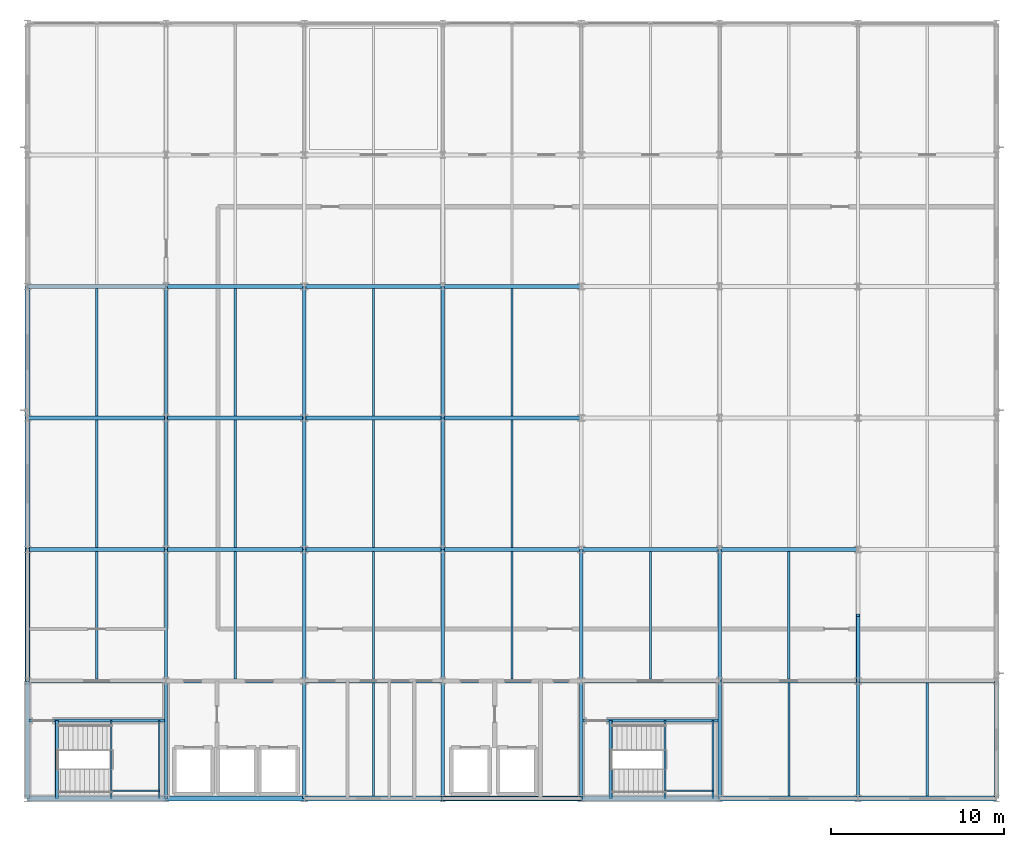
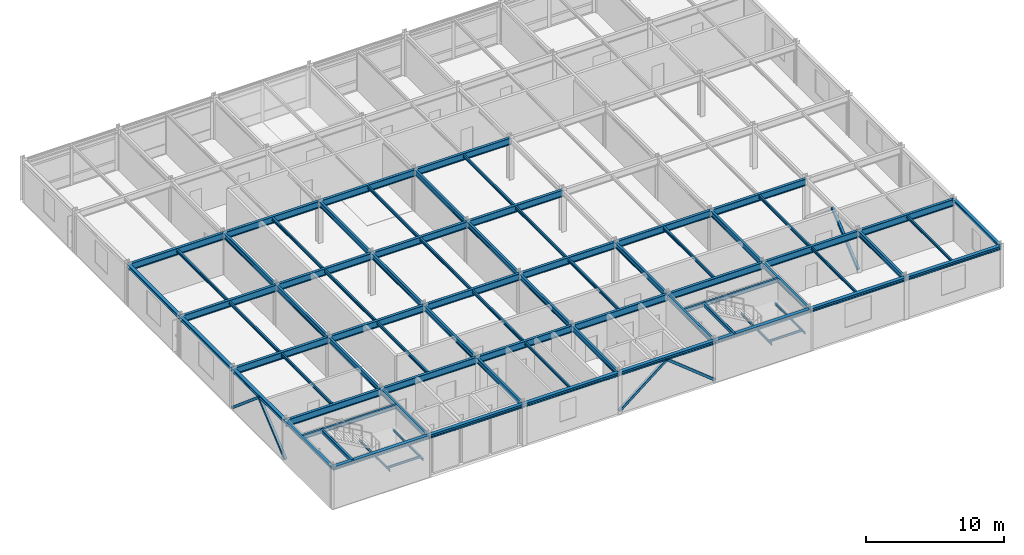
# One storey, part 4 of 18: 77 beams, 5 members.
"""IFC4 building model written with IfcOpenShell, lengths in metres."""

from ifc_helpers import new_model, si_unit, direction, frame, origin, origin_2d, place, context, subcontext, project, spatial, hollow_rectangle, i_section, extrude, material, material_profile, profile_set, type_object, element, save


model = new_model("IFC4")

# Units and contexts
model_context = context("Model", 3, precision=1e-05, world=origin(), true_north=direction((0.0, 1.0)))
body_context = subcontext(model_context, "Body", "Model", "MODEL_VIEW")
ifc_project = project(units=[si_unit("LENGTHUNIT", "METRE"), si_unit("AREAUNIT", "SQUARE_METRE"), si_unit("VOLUMEUNIT", "CUBIC_METRE"), si_unit("PLANEANGLEUNIT", "RADIAN"), si_unit("MASSUNIT", "GRAM", prefix="KILO")], contexts=[model_context])

# Site, building, storey
site_placement = place(None, origin())
site = spatial("IfcSite", under=ifc_project, at=site_placement, CompositionType="ELEMENT")
building_placement = place(site_placement, origin())
building = spatial("IfcBuilding", under=site, at=building_placement, Name="Shalkamar Park Central Library", CompositionType="ELEMENT")
storey_placement = place(building_placement, frame((0.0, 0.0, 24.300048828125)))
storey = spatial("IfcBuildingStorey", under=building, at=storey_placement, Name="L06", CompositionType="ELEMENT", Elevation=24.300048828125)

# Beams
ifc_material = material(Name="Steel S355", Category="steel")
ifc_material_profile_1 = material_profile(ifc_material, i_section(OverallWidth=0.10009765625, OverallDepth=0.199951171875, WebThickness=0.005615234375, FlangeThickness=0.008544921875, FilletRadius=0.011962890625, at=origin_2d()), Name="IPE 200")
ifc_profile_set_1 = profile_set([ifc_material_profile_1], Name="Steel S355")
beam_type_1 = type_object("IfcBeamType", Name="Composite Floor Joist IPE200", PredefinedType="JOIST", material=ifc_profile_set_1)
for number, where, z_axis, x_axis, name in (
    (1, (169.840087890625, 248.39990234375, 1.570068359375), (0.0, 1.0, 0.0), (-1.0, 0.0, 0.0), "Stair Half-Landing Beam ST-T1-L06-1"),
    (2, (172.6201171875, 248.39990234375, 1.570068359375), (0.0, 1.0, 0.0), (-1.0, 0.0, 0.0), "Stair Half-Landing Beam ST-T1-L06-2"),
):
    element("IfcBeam", number, at=place(storey_placement, frame(where, z_axis=z_axis, x_axis=x_axis)), inside=storey, type_object=beam_type_1, Name=name, PredefinedType="JOIST", context=body_context, shape_type="SweptSolid", body=[
        extrude(i_section(OverallWidth=0.10009765625, OverallDepth=0.199951171875, WebThickness=0.005615234375, FlangeThickness=0.008544921875, FilletRadius=0.011962890625, at=origin_2d()), origin(), (0.0, 0.0, 1.0), 4.5),
    ])
beam_1_placement = place(storey_placement, frame((169.840087890625, 248.85009765625, 1.570068359375), z_axis=(1.0, 0.0, 0.0), x_axis=(0.0, 1.0, 0.0)))
element("IfcBeam", 3, at=beam_1_placement, inside=storey, type_object=beam_type_1, Name="Stair Half-Landing Cross Tie ST-T1-L06-3", PredefinedType="JOIST", context=body_context, shape_type="SweptSolid", body=[
    extrude(i_section(OverallWidth=0.10009765625, OverallDepth=0.199951171875, WebThickness=0.005615234375, FlangeThickness=0.008544921875, FilletRadius=0.011962890625, at=origin_2d()), origin(), (0.0, 0.0, 1.0), 2.780029296875),
])
for number, where, z_axis, x_axis, name in (
    (4, (201.840087890625, 248.39990234375, 1.570068359375), (0.0, 1.0, 0.0), (-1.0, 0.0, 0.0), "Stair Half-Landing Beam ST-T2-L06-1"),
    (5, (204.6201171875, 248.39990234375, 1.570068359375), (0.0, 1.0, 0.0), (-1.0, 0.0, 0.0), "Stair Half-Landing Beam ST-T2-L06-2"),
):
    element("IfcBeam", number, at=place(storey_placement, frame(where, z_axis=z_axis, x_axis=x_axis)), inside=storey, type_object=beam_type_1, Name=name, PredefinedType="JOIST", context=body_context, shape_type="SweptSolid", body=[
        extrude(i_section(OverallWidth=0.10009765625, OverallDepth=0.199951171875, WebThickness=0.005615234375, FlangeThickness=0.008544921875, FilletRadius=0.011962890625, at=origin_2d()), origin(), (0.0, 0.0, 1.0), 4.5),
    ])
beam_2_placement = place(storey_placement, frame((201.840087890625, 248.85009765625, 1.570068359375), z_axis=(1.0, 0.0, 0.0), x_axis=(0.0, 1.0, 0.0)))
element("IfcBeam", 6, at=beam_2_placement, inside=storey, type_object=beam_type_1, Name="Stair Half-Landing Cross Tie ST-T2-L06-3", PredefinedType="JOIST", context=body_context, shape_type="SweptSolid", body=[
    extrude(i_section(OverallWidth=0.10009765625, OverallDepth=0.199951171875, WebThickness=0.005615234375, FlangeThickness=0.008544921875, FilletRadius=0.011962890625, at=origin_2d()), origin(), (0.0, 0.0, 1.0), 2.780029296875),
])
ifc_material_profile_2 = material_profile(ifc_material, i_section(OverallWidth=0.1201171875, OverallDepth=0.239990234375, WebThickness=0.006103515625, FlangeThickness=0.009765625, FilletRadius=0.014892578125, at=origin_2d()), Name="IPE 240")
ifc_profile_set_2 = profile_set([ifc_material_profile_2], Name="Steel S355")
beam_type_2 = type_object("IfcBeamType", Name="Composite Floor Joist IPE240", PredefinedType="JOIST", material=ifc_profile_set_2)
for number, where, z_axis, x_axis, name in (
    (7, (185.0, 248.548095703125, 3.5400390625), (0.0, 1.0, 0.0), (-1.0, 0.0, 0.0), "Composite Joist 09/B-1 (L06)"),
    (8, (209.0, 248.548095703125, 3.5400390625), (0.0, 1.0, 0.0), (-1.0, 0.0, 0.0), "Composite Joist 12/B-1 (L06)"),
    (9, (217.0, 248.548095703125, 3.5400390625), (0.0, 1.0, 0.0), (-1.0, 0.0, 0.0), "Composite Joist 13/B-1 (L06)"),
):
    element("IfcBeam", number, at=place(storey_placement, frame(where, z_axis=z_axis, x_axis=x_axis)), inside=storey, type_object=beam_type_2, Name=name, PredefinedType="JOIST", context=body_context, shape_type="SweptSolid", body=[
        extrude(i_section(OverallWidth=0.1201171875, OverallDepth=0.239990234375, WebThickness=0.006103515625, FlangeThickness=0.009765625, FilletRadius=0.014892578125, at=origin_2d()), origin(), (0.0, 0.0, 1.0), 6.5439453125),
    ])
ifc_material_profile_3 = material_profile(ifc_material, i_section(OverallWidth=0.135009765625, OverallDepth=0.27001953125, WebThickness=0.006591796875, FlangeThickness=0.01025390625, FilletRadius=0.014892578125, at=origin_2d()), Name="IPE 270")
ifc_profile_set_3 = profile_set([ifc_material_profile_3], Name="Steel S355")
beam_type_3 = type_object("IfcBeamType", Name="Composite Floor Joist IPE270", PredefinedType="JOIST", material=ifc_profile_set_3)
beam_3_placement = place(storey_placement, frame((169.0, 255.30810546875, 3.52490234375), z_axis=(0.0, 1.0, 0.0), x_axis=(-1.0, 0.0, 0.0)))
element("IfcBeam", 10, at=beam_3_placement, inside=storey, type_object=beam_type_3, Name="Composite Joist 07/C-1 (L06)", PredefinedType="JOIST", context=body_context, shape_type="SweptSolid", body=[
    extrude(i_section(OverallWidth=0.135009765625, OverallDepth=0.27001953125, WebThickness=0.006591796875, FlangeThickness=0.01025390625, FilletRadius=0.014892578125, at=origin_2d()), origin(), (0.0, 0.0, 1.0), 7.3837890625),
])
for number, where, z_axis, x_axis, name in (
    (11, (169.0, 262.907958984375, 3.52490234375), (0.0, 1.0, 0.0), (-1.0, 0.0, 0.0), "Composite Joist 07/D-1 (L06)"),
    (12, (169.0, 270.508056640625, 3.52490234375), (0.0, 1.0, 0.0), (-1.0, 0.0, 0.0), "Composite Joist 07/E-1 (L06)"),
):
    element("IfcBeam", number, at=place(storey_placement, frame(where, z_axis=z_axis, x_axis=x_axis)), inside=storey, type_object=beam_type_3, Name=name, PredefinedType="JOIST", context=body_context, shape_type="SweptSolid", body=[
        extrude(i_section(OverallWidth=0.135009765625, OverallDepth=0.27001953125, WebThickness=0.006591796875, FlangeThickness=0.01025390625, FilletRadius=0.014892578125, at=origin_2d()), origin(), (0.0, 0.0, 1.0), 7.384033203125),
    ])
beam_4_placement = place(storey_placement, frame((177.0, 255.30810546875, 3.52490234375), z_axis=(0.0, 1.0, 0.0), x_axis=(-1.0, 0.0, 0.0)))
element("IfcBeam", 13, at=beam_4_placement, inside=storey, type_object=beam_type_3, Name="Composite Joist 08/C-1 (L06)", PredefinedType="JOIST", context=body_context, shape_type="SweptSolid", body=[
    extrude(i_section(OverallWidth=0.135009765625, OverallDepth=0.27001953125, WebThickness=0.006591796875, FlangeThickness=0.01025390625, FilletRadius=0.014892578125, at=origin_2d()), origin(), (0.0, 0.0, 1.0), 7.3837890625),
])
for number, where, z_axis, x_axis, name in (
    (14, (177.0, 262.907958984375, 3.52490234375), (0.0, 1.0, 0.0), (-1.0, 0.0, 0.0), "Composite Joist 08/D-1 (L06)"),
    (15, (177.0, 270.508056640625, 3.52490234375), (0.0, 1.0, 0.0), (-1.0, 0.0, 0.0), "Composite Joist 08/E-1 (L06)"),
):
    element("IfcBeam", number, at=place(storey_placement, frame(where, z_axis=z_axis, x_axis=x_axis)), inside=storey, type_object=beam_type_3, Name=name, PredefinedType="JOIST", context=body_context, shape_type="SweptSolid", body=[
        extrude(i_section(OverallWidth=0.135009765625, OverallDepth=0.27001953125, WebThickness=0.006591796875, FlangeThickness=0.01025390625, FilletRadius=0.014892578125, at=origin_2d()), origin(), (0.0, 0.0, 1.0), 7.384033203125),
    ])
beam_5_placement = place(storey_placement, frame((185.0, 255.30810546875, 3.52490234375), z_axis=(0.0, 1.0, 0.0), x_axis=(-1.0, 0.0, 0.0)))
element("IfcBeam", 16, at=beam_5_placement, inside=storey, type_object=beam_type_3, Name="Composite Joist 09/C-1 (L06)", PredefinedType="JOIST", context=body_context, shape_type="SweptSolid", body=[
    extrude(i_section(OverallWidth=0.135009765625, OverallDepth=0.27001953125, WebThickness=0.006591796875, FlangeThickness=0.01025390625, FilletRadius=0.014892578125, at=origin_2d()), origin(), (0.0, 0.0, 1.0), 7.3837890625),
])
for number, where, z_axis, x_axis, name in (
    (17, (185.0, 262.907958984375, 3.52490234375), (0.0, 1.0, 0.0), (-1.0, 0.0, 0.0), "Composite Joist 09/D-1 (L06)"),
    (18, (185.0, 270.508056640625, 3.52490234375), (0.0, 1.0, 0.0), (-1.0, 0.0, 0.0), "Composite Joist 09/E-1 (L06)"),
):
    element("IfcBeam", number, at=place(storey_placement, frame(where, z_axis=z_axis, x_axis=x_axis)), inside=storey, type_object=beam_type_3, Name=name, PredefinedType="JOIST", context=body_context, shape_type="SweptSolid", body=[
        extrude(i_section(OverallWidth=0.135009765625, OverallDepth=0.27001953125, WebThickness=0.006591796875, FlangeThickness=0.01025390625, FilletRadius=0.014892578125, at=origin_2d()), origin(), (0.0, 0.0, 1.0), 7.384033203125),
    ])
beam_6_placement = place(storey_placement, frame((193.0, 255.30810546875, 3.52490234375), z_axis=(0.0, 1.0, 0.0), x_axis=(-1.0, 0.0, 0.0)))
element("IfcBeam", 19, at=beam_6_placement, inside=storey, type_object=beam_type_3, Name="Composite Joist 10/C-1 (L06)", PredefinedType="JOIST", context=body_context, shape_type="SweptSolid", body=[
    extrude(i_section(OverallWidth=0.135009765625, OverallDepth=0.27001953125, WebThickness=0.006591796875, FlangeThickness=0.01025390625, FilletRadius=0.014892578125, at=origin_2d()), origin(), (0.0, 0.0, 1.0), 7.3837890625),
])
for number, where, z_axis, x_axis, name in (
    (20, (193.0, 262.907958984375, 3.52490234375), (0.0, 1.0, 0.0), (-1.0, 0.0, 0.0), "Composite Joist 10/D-1 (L06)"),
    (21, (193.0, 270.508056640625, 3.52490234375), (0.0, 1.0, 0.0), (-1.0, 0.0, 0.0), "Composite Joist 10/E-1 (L06)"),
):
    element("IfcBeam", number, at=place(storey_placement, frame(where, z_axis=z_axis, x_axis=x_axis)), inside=storey, type_object=beam_type_3, Name=name, PredefinedType="JOIST", context=body_context, shape_type="SweptSolid", body=[
        extrude(i_section(OverallWidth=0.135009765625, OverallDepth=0.27001953125, WebThickness=0.006591796875, FlangeThickness=0.01025390625, FilletRadius=0.014892578125, at=origin_2d()), origin(), (0.0, 0.0, 1.0), 7.384033203125),
    ])
for number, where, z_axis, x_axis, name in (
    (22, (201.0, 255.30810546875, 3.52490234375), (0.0, 1.0, 0.0), (-1.0, 0.0, 0.0), "Composite Joist 11/C-1 (L06)"),
    (23, (209.0, 255.30810546875, 3.52490234375), (0.0, 1.0, 0.0), (-1.0, 0.0, 0.0), "Composite Joist 12/C-1 (L06)"),
):
    element("IfcBeam", number, at=place(storey_placement, frame(where, z_axis=z_axis, x_axis=x_axis)), inside=storey, type_object=beam_type_3, Name=name, PredefinedType="JOIST", context=body_context, shape_type="SweptSolid", body=[
        extrude(i_section(OverallWidth=0.135009765625, OverallDepth=0.27001953125, WebThickness=0.006591796875, FlangeThickness=0.01025390625, FilletRadius=0.014892578125, at=origin_2d()), origin(), (0.0, 0.0, 1.0), 7.3837890625),
    ])

# Members
ifc_material_profile_4 = material_profile(ifc_material, hollow_rectangle(XDim=0.219970703125, YDim=0.219970703125, WallThickness=0.010009765625, InnerFilletRadius=0.010009765625, OuterFilletRadius=0.014892578125, at=origin_2d()), Name="SHS 220x220x10")
ifc_profile_set_4 = profile_set([ifc_material_profile_4], Name="Steel S355")
member_type = type_object("IfcMemberType", Name="Diagonal Brace SHS220", PredefinedType="BRACE", material=ifc_profile_set_4)
for number, where, z_axis, x_axis, name in (
    (24, (165.0, 255.199951171875, 0.14990234375), (0.0, 0.763927756814, 0.645301776202), (-1.0, 0.0, 0.0), "Chevron Brace TW-W Leg A (L06)"),
    (25, (165.0, 262.800048828125, 0.14990234375), (0.0, -0.763927756814, 0.645301776202), (1.0, 0.0, 0.0), "Chevron Brace TW-W Leg B (L06)"),
    (26, (213.0, 255.199951171875, 0.14990234375), (0.0, 0.763927756814, 0.645301776202), (-1.0, 0.0, 0.0), "Chevron Brace TW-E Leg A (L06)"),
):
    element("IfcMember", number, at=place(storey_placement, frame(where, z_axis=z_axis, x_axis=x_axis)), inside=storey, type_object=member_type, Name=name, PredefinedType="BRACE", context=body_context, shape_type="SweptSolid", body=[
        extrude(hollow_rectangle(XDim=0.219970703125, YDim=0.219970703125, WallThickness=0.010009765625, InnerFilletRadius=0.010009765625, OuterFilletRadius=0.014892578125, at=origin_2d()), origin(), (0.0, 0.0, 1.0), 4.974365234375),
    ])
for number, where, z_axis, x_axis, name in (
    (27, (189.0, 248.39990234375, 0.14990234375), (0.77992050418, 0.0, 0.625878588194), (0.0, 1.0, 0.0), "Chevron Brace TW-S Leg A (L06)"),
    (28, (197.0, 248.39990234375, 0.14990234375), (-0.77992050418, 0.0, 0.625878588194), (0.0, -1.0, 0.0), "Chevron Brace TW-S Leg B (L06)"),
):
    element("IfcMember", number, at=place(storey_placement, frame(where, z_axis=z_axis, x_axis=x_axis)), inside=storey, type_object=member_type, Name=name, PredefinedType="BRACE", context=body_context, shape_type="SweptSolid", body=[
        extrude(hollow_rectangle(XDim=0.219970703125, YDim=0.219970703125, WallThickness=0.010009765625, InnerFilletRadius=0.010009765625, OuterFilletRadius=0.014892578125, at=origin_2d()), origin(), (0.0, 0.0, 1.0), 5.128662109375),
    ])

# Beams
ifc_material_profile_5 = material_profile(ifc_material, i_section(OverallWidth=0.239990234375, OverallDepth=0.22998046875, WebThickness=0.007568359375, FlangeThickness=0.011962890625, FilletRadius=0.02099609375, at=origin_2d()), Name="HEA 240")
ifc_profile_set_5 = profile_set([ifc_material_profile_5], Name="Steel S355")
beam_type_4 = type_object("IfcBeamType", Name="Perimeter Spandrel Beam HEA240", PredefinedType="SPANDREL", material=ifc_profile_set_5)
for number, where, z_axis, x_axis, name in (
    (29, (165.0, 248.39990234375, 3.544921875), (0.0, 1.0, 0.0), (-1.0, 0.0, 0.0), "Beam 07:B-C (L06)"),
    (30, (221.0, 248.39990234375, 3.544921875), (0.0, 1.0, 0.0), (-1.0, 0.0, 0.0), "Beam 14:B-C (L06)"),
):
    element("IfcBeam", number, at=place(storey_placement, frame(where, z_axis=z_axis, x_axis=x_axis)), inside=storey, type_object=beam_type_4, Name=name, PredefinedType="SPANDREL", context=body_context, shape_type="SweptSolid", body=[
        extrude(i_section(OverallWidth=0.239990234375, OverallDepth=0.22998046875, WebThickness=0.007568359375, FlangeThickness=0.011962890625, FilletRadius=0.02099609375, at=origin_2d()), origin(), (0.0, 0.0, 1.0), 6.800048828125),
    ])
ifc_material_profile_6 = material_profile(ifc_material, i_section(OverallWidth=0.280029296875, OverallDepth=0.27001953125, WebThickness=0.008056640625, FlangeThickness=0.012939453125, FilletRadius=0.02392578125, at=origin_2d()), Name="HEA 280")
ifc_profile_set_6 = profile_set([ifc_material_profile_6], Name="Steel S355")
beam_type_5 = type_object("IfcBeamType", Name="Perimeter Spandrel Beam HEA280", PredefinedType="SPANDREL", material=ifc_profile_set_6)
beam_7_placement = place(storey_placement, frame((165.0, 255.199951171875, 3.52490234375), z_axis=(0.0, 1.0, 0.0), x_axis=(-1.0, 0.0, 0.0)))
element("IfcBeam", 31, at=beam_7_placement, inside=storey, type_object=beam_type_5, Name="Beam 07:C-D (L06)", PredefinedType="SPANDREL", context=body_context, shape_type="SweptSolid", body=[
    extrude(i_section(OverallWidth=0.280029296875, OverallDepth=0.27001953125, WebThickness=0.008056640625, FlangeThickness=0.012939453125, FilletRadius=0.02392578125, at=origin_2d()), origin(), (0.0, 0.0, 1.0), 7.60009765625),
])
beam_8_placement = place(storey_placement, frame((165.0, 262.800048828125, 3.52490234375), z_axis=(0.0, 1.0, 0.0), x_axis=(-1.0, 0.0, 0.0)))
element("IfcBeam", 32, at=beam_8_placement, inside=storey, type_object=beam_type_5, Name="Beam 07:D-E (L06)", PredefinedType="SPANDREL", context=body_context, shape_type="SweptSolid", body=[
    extrude(i_section(OverallWidth=0.280029296875, OverallDepth=0.27001953125, WebThickness=0.008056640625, FlangeThickness=0.012939453125, FilletRadius=0.02392578125, at=origin_2d()), origin(), (0.0, 0.0, 1.0), 7.599853515625),
])
beam_9_placement = place(storey_placement, frame((165.0, 270.39990234375, 3.52490234375), z_axis=(0.0, 1.0, 0.0), x_axis=(-1.0, 0.0, 0.0)))
element("IfcBeam", 33, at=beam_9_placement, inside=storey, type_object=beam_type_5, Name="Beam 07:E-F (L06)", PredefinedType="SPANDREL", context=body_context, shape_type="SweptSolid", body=[
    extrude(i_section(OverallWidth=0.280029296875, OverallDepth=0.27001953125, WebThickness=0.008056640625, FlangeThickness=0.012939453125, FilletRadius=0.02392578125, at=origin_2d()), origin(), (0.0, 0.0, 1.0), 7.60009765625),
])
ifc_material_profile_7 = material_profile(ifc_material, i_section(OverallWidth=0.300048828125, OverallDepth=0.31005859375, WebThickness=0.009033203125, FlangeThickness=0.015380859375, FilletRadius=0.027099609375, at=origin_2d()), Name="HEA 320")
ifc_profile_set_7 = profile_set([ifc_material_profile_7], Name="Steel S355")
beam_type_6 = type_object("IfcBeamType", Name="Perimeter Spandrel Beam HEA320", PredefinedType="SPANDREL", material=ifc_profile_set_7)
for number, where, z_axis, x_axis, name in (
    (34, (165.0, 248.39990234375, 3.5048828125), (1.0, 0.0, 0.0), (0.0, 1.0, 0.0), "Beam B:07-08 (L06)"),
    (35, (173.0, 248.39990234375, 3.5048828125), (1.0, 0.0, 0.0), (0.0, 1.0, 0.0), "Beam B:08-09 (L06)"),
    (36, (181.0, 248.39990234375, 3.5048828125), (1.0, 0.0, 0.0), (0.0, 1.0, 0.0), "Beam B:09-10 (L06)"),
    (37, (189.0, 248.39990234375, 3.5048828125), (1.0, 0.0, 0.0), (0.0, 1.0, 0.0), "Beam B:10-11 (L06)"),
    (38, (197.0, 248.39990234375, 3.5048828125), (1.0, 0.0, 0.0), (0.0, 1.0, 0.0), "Beam B:11-12 (L06)"),
    (39, (205.0, 248.39990234375, 3.5048828125), (1.0, 0.0, 0.0), (0.0, 1.0, 0.0), "Beam B:12-13 (L06)"),
    (40, (213.0, 248.39990234375, 3.5048828125), (1.0, 0.0, 0.0), (0.0, 1.0, 0.0), "Beam B:13-14 (L06)"),
):
    element("IfcBeam", number, at=place(storey_placement, frame(where, z_axis=z_axis, x_axis=x_axis)), inside=storey, type_object=beam_type_6, Name=name, PredefinedType="SPANDREL", context=body_context, shape_type="SweptSolid", body=[
        extrude(i_section(OverallWidth=0.300048828125, OverallDepth=0.31005859375, WebThickness=0.009033203125, FlangeThickness=0.015380859375, FilletRadius=0.027099609375, at=origin_2d()), origin(), (0.0, 0.0, 1.0), 8.0),
    ])
ifc_material_profile_8 = material_profile(ifc_material, i_section(OverallWidth=0.169921875, OverallDepth=0.360107421875, WebThickness=0.008056640625, FlangeThickness=0.0126953125, FilletRadius=0.01806640625, at=origin_2d()), Name="IPE 360")
ifc_profile_set_8 = profile_set([ifc_material_profile_8], Name="Steel S355")
beam_type_7 = type_object("IfcBeamType", Name="Primary Girder IPE360", PredefinedType="BEAM", material=ifc_profile_set_8)
for number, where, z_axis, x_axis, name in (
    (41, (165.087890625, 252.89990234375, 3.47998046875), (1.0, 0.0, 0.0), (0.0, 1.0, 0.0), "CORE-T1 Stairwell Divider Beam (L06)"),
    (42, (197.087890625, 252.89990234375, 3.47998046875), (1.0, 0.0, 0.0), (0.0, 1.0, 0.0), "CORE-T2 Stairwell Divider Beam (L06)"),
):
    element("IfcBeam", number, at=place(storey_placement, frame(where, z_axis=z_axis, x_axis=x_axis)), inside=storey, type_object=beam_type_7, Name=name, PredefinedType="BEAM", context=body_context, shape_type="SweptSolid", body=[
        extrude(i_section(OverallWidth=0.169921875, OverallDepth=0.360107421875, WebThickness=0.008056640625, FlangeThickness=0.0126953125, FilletRadius=0.01806640625, at=origin_2d()), origin(), (0.0, 0.0, 1.0), 7.82421875),
    ])
ifc_material_profile_9 = material_profile(ifc_material, i_section(OverallWidth=0.18994140625, OverallDepth=0.449951171875, WebThickness=0.009521484375, FlangeThickness=0.0146484375, FilletRadius=0.02099609375, at=origin_2d()), Name="IPE 450")
ifc_profile_set_9 = profile_set([ifc_material_profile_9], Name="Steel S355")
beam_type_8 = type_object("IfcBeamType", Name="Primary Girder IPE450", PredefinedType="BEAM", material=ifc_profile_set_9)
beam_10_placement = place(storey_placement, frame((173.0, 248.39990234375, 3.43505859375), z_axis=(0.0, 1.0, 0.0), x_axis=(-1.0, 0.0, 0.0)))
element("IfcBeam", 43, at=beam_10_placement, inside=storey, type_object=beam_type_8, Name="Beam 08:B-C (L06)", PredefinedType="BEAM", context=body_context, shape_type="SweptSolid", body=[
    extrude(i_section(OverallWidth=0.18994140625, OverallDepth=0.449951171875, WebThickness=0.009521484375, FlangeThickness=0.0146484375, FilletRadius=0.02099609375, at=origin_2d()), origin(), (0.0, 0.0, 1.0), 6.800048828125),
])
beam_11_placement = place(storey_placement, frame((173.0, 255.199951171875, 3.43505859375), z_axis=(0.0, 1.0, 0.0), x_axis=(-1.0, 0.0, 0.0)))
element("IfcBeam", 44, at=beam_11_placement, inside=storey, type_object=beam_type_8, Name="Beam 08:C-D (L06)", PredefinedType="BEAM", context=body_context, shape_type="SweptSolid", body=[
    extrude(i_section(OverallWidth=0.18994140625, OverallDepth=0.449951171875, WebThickness=0.009521484375, FlangeThickness=0.0146484375, FilletRadius=0.02099609375, at=origin_2d()), origin(), (0.0, 0.0, 1.0), 7.60009765625),
])
beam_12_placement = place(storey_placement, frame((173.0, 262.800048828125, 3.43505859375), z_axis=(0.0, 1.0, 0.0), x_axis=(-1.0, 0.0, 0.0)))
element("IfcBeam", 45, at=beam_12_placement, inside=storey, type_object=beam_type_8, Name="Beam 08:D-E (L06)", PredefinedType="BEAM", context=body_context, shape_type="SweptSolid", body=[
    extrude(i_section(OverallWidth=0.18994140625, OverallDepth=0.449951171875, WebThickness=0.009521484375, FlangeThickness=0.0146484375, FilletRadius=0.02099609375, at=origin_2d()), origin(), (0.0, 0.0, 1.0), 7.599853515625),
])
beam_13_placement = place(storey_placement, frame((173.0, 270.39990234375, 3.43505859375), z_axis=(0.0, 1.0, 0.0), x_axis=(-1.0, 0.0, 0.0)))
element("IfcBeam", 46, at=beam_13_placement, inside=storey, type_object=beam_type_8, Name="Beam 08:E-F (L06)", PredefinedType="BEAM", context=body_context, shape_type="SweptSolid", body=[
    extrude(i_section(OverallWidth=0.18994140625, OverallDepth=0.449951171875, WebThickness=0.009521484375, FlangeThickness=0.0146484375, FilletRadius=0.02099609375, at=origin_2d()), origin(), (0.0, 0.0, 1.0), 7.60009765625),
])
beam_14_placement = place(storey_placement, frame((181.0, 248.39990234375, 3.43505859375), z_axis=(0.0, 1.0, 0.0), x_axis=(-1.0, 0.0, 0.0)))
element("IfcBeam", 47, at=beam_14_placement, inside=storey, type_object=beam_type_8, Name="Beam 09:B-C (L06)", PredefinedType="BEAM", context=body_context, shape_type="SweptSolid", body=[
    extrude(i_section(OverallWidth=0.18994140625, OverallDepth=0.449951171875, WebThickness=0.009521484375, FlangeThickness=0.0146484375, FilletRadius=0.02099609375, at=origin_2d()), origin(), (0.0, 0.0, 1.0), 6.800048828125),
])
beam_15_placement = place(storey_placement, frame((181.0, 255.199951171875, 3.43505859375), z_axis=(0.0, 1.0, 0.0), x_axis=(-1.0, 0.0, 0.0)))
element("IfcBeam", 48, at=beam_15_placement, inside=storey, type_object=beam_type_8, Name="Beam 09:C-D (L06)", PredefinedType="BEAM", context=body_context, shape_type="SweptSolid", body=[
    extrude(i_section(OverallWidth=0.18994140625, OverallDepth=0.449951171875, WebThickness=0.009521484375, FlangeThickness=0.0146484375, FilletRadius=0.02099609375, at=origin_2d()), origin(), (0.0, 0.0, 1.0), 7.60009765625),
])
beam_16_placement = place(storey_placement, frame((181.0, 262.800048828125, 3.43505859375), z_axis=(0.0, 1.0, 0.0), x_axis=(-1.0, 0.0, 0.0)))
element("IfcBeam", 49, at=beam_16_placement, inside=storey, type_object=beam_type_8, Name="Beam 09:D-E (L06)", PredefinedType="BEAM", context=body_context, shape_type="SweptSolid", body=[
    extrude(i_section(OverallWidth=0.18994140625, OverallDepth=0.449951171875, WebThickness=0.009521484375, FlangeThickness=0.0146484375, FilletRadius=0.02099609375, at=origin_2d()), origin(), (0.0, 0.0, 1.0), 7.599853515625),
])
beam_17_placement = place(storey_placement, frame((181.0, 270.39990234375, 3.43505859375), z_axis=(0.0, 1.0, 0.0), x_axis=(-1.0, 0.0, 0.0)))
element("IfcBeam", 50, at=beam_17_placement, inside=storey, type_object=beam_type_8, Name="Beam 09:E-F (L06)", PredefinedType="BEAM", context=body_context, shape_type="SweptSolid", body=[
    extrude(i_section(OverallWidth=0.18994140625, OverallDepth=0.449951171875, WebThickness=0.009521484375, FlangeThickness=0.0146484375, FilletRadius=0.02099609375, at=origin_2d()), origin(), (0.0, 0.0, 1.0), 7.60009765625),
])
beam_18_placement = place(storey_placement, frame((189.0, 248.39990234375, 3.43505859375), z_axis=(0.0, 1.0, 0.0), x_axis=(-1.0, 0.0, 0.0)))
element("IfcBeam", 51, at=beam_18_placement, inside=storey, type_object=beam_type_8, Name="Beam 10:B-C (L06)", PredefinedType="BEAM", context=body_context, shape_type="SweptSolid", body=[
    extrude(i_section(OverallWidth=0.18994140625, OverallDepth=0.449951171875, WebThickness=0.009521484375, FlangeThickness=0.0146484375, FilletRadius=0.02099609375, at=origin_2d()), origin(), (0.0, 0.0, 1.0), 6.800048828125),
])
beam_19_placement = place(storey_placement, frame((189.0, 255.199951171875, 3.43505859375), z_axis=(0.0, 1.0, 0.0), x_axis=(-1.0, 0.0, 0.0)))
element("IfcBeam", 52, at=beam_19_placement, inside=storey, type_object=beam_type_8, Name="Beam 10:C-D (L06)", PredefinedType="BEAM", context=body_context, shape_type="SweptSolid", body=[
    extrude(i_section(OverallWidth=0.18994140625, OverallDepth=0.449951171875, WebThickness=0.009521484375, FlangeThickness=0.0146484375, FilletRadius=0.02099609375, at=origin_2d()), origin(), (0.0, 0.0, 1.0), 7.60009765625),
])
beam_20_placement = place(storey_placement, frame((189.0, 262.800048828125, 3.43505859375), z_axis=(0.0, 1.0, 0.0), x_axis=(-1.0, 0.0, 0.0)))
element("IfcBeam", 53, at=beam_20_placement, inside=storey, type_object=beam_type_8, Name="Beam 10:D-E (L06)", PredefinedType="BEAM", context=body_context, shape_type="SweptSolid", body=[
    extrude(i_section(OverallWidth=0.18994140625, OverallDepth=0.449951171875, WebThickness=0.009521484375, FlangeThickness=0.0146484375, FilletRadius=0.02099609375, at=origin_2d()), origin(), (0.0, 0.0, 1.0), 7.599853515625),
])
beam_21_placement = place(storey_placement, frame((189.0, 270.39990234375, 3.43505859375), z_axis=(0.0, 1.0, 0.0), x_axis=(-1.0, 0.0, 0.0)))
element("IfcBeam", 54, at=beam_21_placement, inside=storey, type_object=beam_type_8, Name="Beam 10:E-F (L06)", PredefinedType="BEAM", context=body_context, shape_type="SweptSolid", body=[
    extrude(i_section(OverallWidth=0.18994140625, OverallDepth=0.449951171875, WebThickness=0.009521484375, FlangeThickness=0.0146484375, FilletRadius=0.02099609375, at=origin_2d()), origin(), (0.0, 0.0, 1.0), 7.60009765625),
])
beam_22_placement = place(storey_placement, frame((197.0, 248.39990234375, 3.43505859375), z_axis=(0.0, 1.0, 0.0), x_axis=(-1.0, 0.0, 0.0)))
element("IfcBeam", 55, at=beam_22_placement, inside=storey, type_object=beam_type_8, Name="Beam 11:B-C (L06)", PredefinedType="BEAM", context=body_context, shape_type="SweptSolid", body=[
    extrude(i_section(OverallWidth=0.18994140625, OverallDepth=0.449951171875, WebThickness=0.009521484375, FlangeThickness=0.0146484375, FilletRadius=0.02099609375, at=origin_2d()), origin(), (0.0, 0.0, 1.0), 6.800048828125),
])
beam_23_placement = place(storey_placement, frame((197.0, 255.199951171875, 3.43505859375), z_axis=(0.0, 1.0, 0.0), x_axis=(-1.0, 0.0, 0.0)))
element("IfcBeam", 56, at=beam_23_placement, inside=storey, type_object=beam_type_8, Name="Beam 11:C-D (L06)", PredefinedType="BEAM", context=body_context, shape_type="SweptSolid", body=[
    extrude(i_section(OverallWidth=0.18994140625, OverallDepth=0.449951171875, WebThickness=0.009521484375, FlangeThickness=0.0146484375, FilletRadius=0.02099609375, at=origin_2d()), origin(), (0.0, 0.0, 1.0), 7.60009765625),
])
beam_24_placement = place(storey_placement, frame((205.0, 248.39990234375, 3.43505859375), z_axis=(0.0, 1.0, 0.0), x_axis=(-1.0, 0.0, 0.0)))
element("IfcBeam", 57, at=beam_24_placement, inside=storey, type_object=beam_type_8, Name="Beam 12:B-C (L06)", PredefinedType="BEAM", context=body_context, shape_type="SweptSolid", body=[
    extrude(i_section(OverallWidth=0.18994140625, OverallDepth=0.449951171875, WebThickness=0.009521484375, FlangeThickness=0.0146484375, FilletRadius=0.02099609375, at=origin_2d()), origin(), (0.0, 0.0, 1.0), 6.800048828125),
])
beam_25_placement = place(storey_placement, frame((205.0, 255.199951171875, 3.43505859375), z_axis=(0.0, 1.0, 0.0), x_axis=(-1.0, 0.0, 0.0)))
element("IfcBeam", 58, at=beam_25_placement, inside=storey, type_object=beam_type_8, Name="Beam 12:C-D (L06)", PredefinedType="BEAM", context=body_context, shape_type="SweptSolid", body=[
    extrude(i_section(OverallWidth=0.18994140625, OverallDepth=0.449951171875, WebThickness=0.009521484375, FlangeThickness=0.0146484375, FilletRadius=0.02099609375, at=origin_2d()), origin(), (0.0, 0.0, 1.0), 7.60009765625),
])
beam_26_placement = place(storey_placement, frame((213.0, 248.39990234375, 3.43505859375), z_axis=(0.0, 1.0, 0.0), x_axis=(-1.0, 0.0, 0.0)))
element("IfcBeam", 59, at=beam_26_placement, inside=storey, type_object=beam_type_8, Name="Beam 13:B-C (L06)", PredefinedType="BEAM", context=body_context, shape_type="SweptSolid", body=[
    extrude(i_section(OverallWidth=0.18994140625, OverallDepth=0.449951171875, WebThickness=0.009521484375, FlangeThickness=0.0146484375, FilletRadius=0.02099609375, at=origin_2d()), origin(), (0.0, 0.0, 1.0), 6.800048828125),
])
ifc_material_profile_10 = material_profile(ifc_material, i_section(OverallWidth=0.219970703125, OverallDepth=0.60009765625, WebThickness=0.011962890625, FlangeThickness=0.01904296875, FilletRadius=0.02392578125, at=origin_2d()), Name="IPE 600")
ifc_profile_set_10 = profile_set([ifc_material_profile_10], Name="Steel S355")
beam_type_9 = type_object("IfcBeamType", Name="Primary Girder IPE600", PredefinedType="BEAM", material=ifc_profile_set_10)
for number, where, z_axis, x_axis, name in (
    (60, (165.0, 255.199951171875, 3.35986328125), (1.0, 0.0, 0.0), (0.0, 1.0, 0.0), "Beam C:07-08 (L06)"),
    (61, (173.0, 255.199951171875, 3.35986328125), (1.0, 0.0, 0.0), (0.0, 1.0, 0.0), "Beam C:08-09 (L06)"),
    (62, (181.0, 255.199951171875, 3.35986328125), (1.0, 0.0, 0.0), (0.0, 1.0, 0.0), "Beam C:09-10 (L06)"),
    (63, (189.0, 255.199951171875, 3.35986328125), (1.0, 0.0, 0.0), (0.0, 1.0, 0.0), "Beam C:10-11 (L06)"),
    (64, (197.0, 255.199951171875, 3.35986328125), (1.0, 0.0, 0.0), (0.0, 1.0, 0.0), "Beam C:11-12 (L06)"),
    (65, (205.0, 255.199951171875, 3.35986328125), (1.0, 0.0, 0.0), (0.0, 1.0, 0.0), "Beam C:12-13 (L06)"),
    (66, (213.0, 255.199951171875, 3.35986328125), (1.0, 0.0, 0.0), (0.0, 1.0, 0.0), "Beam C:13-14 (L06)"),
    (67, (165.0, 262.800048828125, 3.35986328125), (1.0, 0.0, 0.0), (0.0, 1.0, 0.0), "Beam D:07-08 (L06)"),
    (68, (173.0, 262.800048828125, 3.35986328125), (1.0, 0.0, 0.0), (0.0, 1.0, 0.0), "Beam D:08-09 (L06)"),
    (69, (181.0, 262.800048828125, 3.35986328125), (1.0, 0.0, 0.0), (0.0, 1.0, 0.0), "Beam D:09-10 (L06)"),
    (70, (189.0, 262.800048828125, 3.35986328125), (1.0, 0.0, 0.0), (0.0, 1.0, 0.0), "Beam D:10-11 (L06)"),
    (71, (197.0, 262.800048828125, 3.35986328125), (1.0, 0.0, 0.0), (0.0, 1.0, 0.0), "Beam D:11-12 (L06)"),
    (72, (205.0, 262.800048828125, 3.35986328125), (1.0, 0.0, 0.0), (0.0, 1.0, 0.0), "Beam D:12-13 (L06)"),
    (73, (165.0, 270.39990234375, 3.35986328125), (1.0, 0.0, 0.0), (0.0, 1.0, 0.0), "Beam E:07-08 (L06)"),
    (74, (173.0, 270.39990234375, 3.35986328125), (1.0, 0.0, 0.0), (0.0, 1.0, 0.0), "Beam E:08-09 (L06)"),
    (75, (181.0, 270.39990234375, 3.35986328125), (1.0, 0.0, 0.0), (0.0, 1.0, 0.0), "Beam E:09-10 (L06)"),
    (76, (189.0, 270.39990234375, 3.35986328125), (1.0, 0.0, 0.0), (0.0, 1.0, 0.0), "Beam E:10-11 (L06)"),
    (77, (165.0, 278.0, 3.35986328125), (1.0, 0.0, 0.0), (0.0, 1.0, 0.0), "Beam F:07-08 (L06)"),
    (78, (173.0, 278.0, 3.35986328125), (1.0, 0.0, 0.0), (0.0, 1.0, 0.0), "Beam F:08-09 (L06)"),
    (79, (181.0, 278.0, 3.35986328125), (1.0, 0.0, 0.0), (0.0, 1.0, 0.0), "Beam F:09-10 (L06)"),
    (80, (189.0, 278.0, 3.35986328125), (1.0, 0.0, 0.0), (0.0, 1.0, 0.0), "Beam F:10-11 (L06)"),
):
    element("IfcBeam", number, at=place(storey_placement, frame(where, z_axis=z_axis, x_axis=x_axis)), inside=storey, type_object=beam_type_9, Name=name, PredefinedType="BEAM", context=body_context, shape_type="SweptSolid", body=[
        extrude(i_section(OverallWidth=0.219970703125, OverallDepth=0.60009765625, WebThickness=0.011962890625, FlangeThickness=0.01904296875, FilletRadius=0.02392578125, at=origin_2d()), origin(), (0.0, 0.0, 1.0), 8.0),
    ])
ifc_material_profile_11 = material_profile(ifc_material, hollow_rectangle(XDim=0.199951171875, YDim=0.300048828125, WallThickness=0.011962890625, InnerFilletRadius=0.011962890625, OuterFilletRadius=0.01806640625, at=origin_2d()), Name="RHS 300x200x12")
ifc_profile_set_11 = profile_set([ifc_material_profile_11], Name="Steel S355")
beam_type_10 = type_object("IfcBeamType", Name="Stair Trimmer Box RHS300x200", PredefinedType="BEAM", material=ifc_profile_set_11)
for number, where, z_axis, x_axis, name in (
    (81, (166.699951171875, 248.39990234375, 3.510009765625), (0.0, 1.0, 0.0), (-1.0, 0.0, 0.0), "Stair Arrival Trimmer Girder ST-T1-L06"),
    (82, (198.699951171875, 248.39990234375, 3.510009765625), (0.0, 1.0, 0.0), (-1.0, 0.0, 0.0), "Stair Arrival Trimmer Girder ST-T2-L06"),
):
    element("IfcBeam", number, at=place(storey_placement, frame(where, z_axis=z_axis, x_axis=x_axis)), inside=storey, type_object=beam_type_10, Name=name, PredefinedType="BEAM", context=body_context, shape_type="SweptSolid", body=[
        extrude(hollow_rectangle(XDim=0.199951171875, YDim=0.300048828125, WallThickness=0.011962890625, InnerFilletRadius=0.011962890625, OuterFilletRadius=0.01806640625, at=origin_2d()), origin(), (0.0, 0.0, 1.0), 4.5),
    ])

save(model, "model.ifc")
